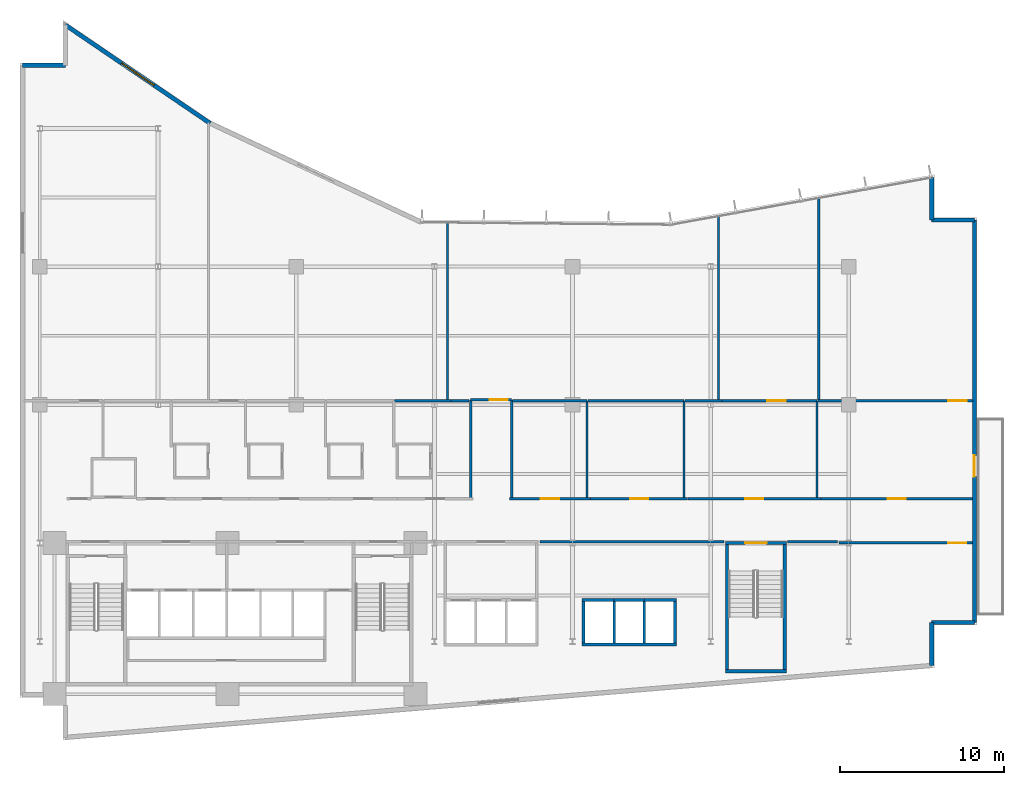
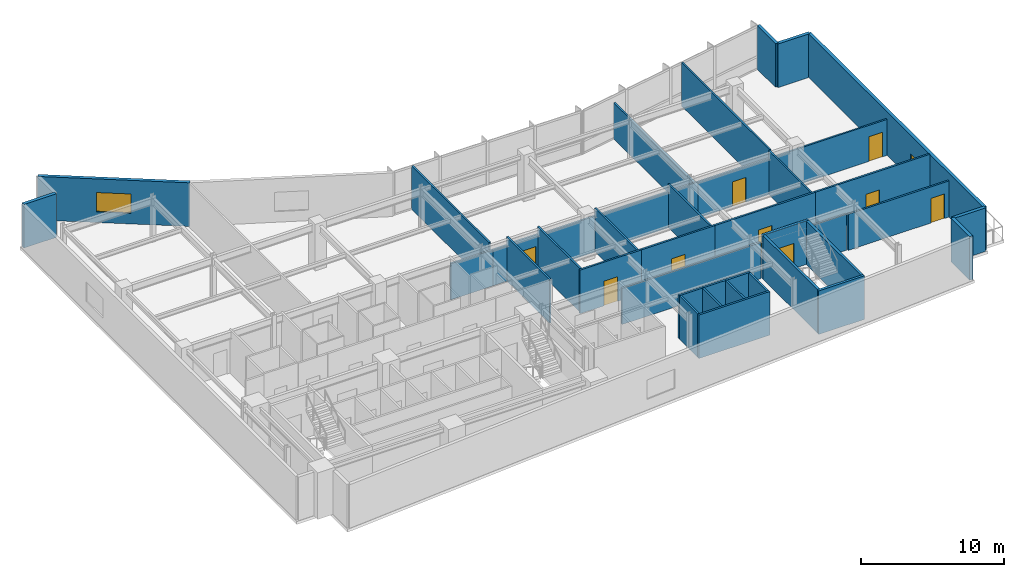
# One storey, part 12 of 18: 42 walls, 10 doors, 1 window, 11 openings.
"""IFC4 building model written with IfcOpenShell, lengths in metres."""

import ifcopenshell
import ifcopenshell.guid

model = None  # the IFC model being written
_history = None  # IfcOwnerHistory: only IFC2X3 demands one
_inside = {}  # id of a spatial element -> (the spatial element, [elements in it])
_under = {}  # id of a project, library or spatial element -> (it, [spatial elements below it])
_declared = {}  # id of a project -> (the project, [libraries it declares])
_typed = {}  # id of a type object -> (the type object, [elements of that type])
_made_of = {}  # id of a material, layer set ... -> (it, [elements and type objects made of it])


def new_model(schema):
    """Start an empty IFC model of exactly this schema.

    Asked for "IFC4X3", IfcOpenShell would pick the latest addendum, in which some entities
    have other attributes; the version numbers below select the first issue.
    IFC2X3 requires an IfcOwnerHistory on every rooted entity: one is made here for all.
    """
    global model, _history
    if schema == "IFC4X3":
        model = ifcopenshell.file(schema_version=(4, 3, 0, 0))
    else:
        model = ifcopenshell.file(schema=schema)
    _inside.clear()
    _under.clear()
    _declared.clear()
    _typed.clear()
    _made_of.clear()
    _history = None
    if model.schema == "IFC2X3":
        org = make("IfcOrganization", Name="unknown")
        user = make(
            "IfcPersonAndOrganization",
            ThePerson=make("IfcPerson", FamilyName="unknown"),
            TheOrganization=org,
        )
        app = make(
            "IfcApplication",
            ApplicationDeveloper=org,
            Version="unknown",
            ApplicationFullName="unknown",
            ApplicationIdentifier="unknown",
        )
        _history = make(
            "IfcOwnerHistory",
            OwningUser=user,
            OwningApplication=app,
            ChangeAction="ADDED",
            CreationDate=0,
        )
    return model


def make(cls, **values):
    """One entity of the class cls with the attributes given. An attribute that is None is left unset."""
    return model.create_entity(
        cls, **{name: value for name, value in values.items() if value is not None}
    )


def rooted(cls, **values):
    """An entity with a GlobalId (a new one), such as an element, a storey or a relation."""
    return make(cls, GlobalId=ifcopenshell.guid.new(), OwnerHistory=_history, **values)


def si_unit(unit_type, name, prefix=None):
    """IfcSIUnit, for example si_unit("LENGTHUNIT", "METRE", prefix="MILLI")."""
    return make("IfcSIUnit", UnitType=unit_type, Prefix=prefix, Name=name)


def assignment(units):
    """IfcUnitAssignment: the units of a project."""
    return None if units is None else make("IfcUnitAssignment", Units=units)


def point(xyz):
    """IfcCartesianPoint."""
    return None if xyz is None else make("IfcCartesianPoint", Coordinates=xyz)


def direction(xyz):
    """IfcDirection."""
    return None if xyz is None else make("IfcDirection", DirectionRatios=xyz)


def frame(location, z_axis=None, x_axis=None):
    """IfcAxis2Placement3D, a coordinate frame: its origin and axes. An axis left out is left unset."""
    return make(
        "IfcAxis2Placement3D",
        Location=point(location),
        Axis=direction(z_axis),
        RefDirection=direction(x_axis),
    )


def frame_2d(location, x_axis=None):
    """IfcAxis2Placement2D, a coordinate frame in the plane: its origin and x axis."""
    return make(
        "IfcAxis2Placement2D", Location=point(location), RefDirection=direction(x_axis)
    )


def origin():
    """The frame at (0, 0, 0) with its axes left unset."""
    return frame((0.0, 0.0, 0.0))


def place(relative_to, where):
    """IfcLocalPlacement: puts the frame where relative to a parent placement (None: the world)."""
    return make(
        "IfcLocalPlacement", PlacementRelTo=relative_to, RelativePlacement=where
    )


def context(
    kind, dimensions, precision=None, world=None, true_north=None, identifier=None
):
    """IfcGeometricRepresentationContext, for example the 3D "Model" context."""
    return make(
        "IfcGeometricRepresentationContext",
        ContextIdentifier=identifier,
        ContextType=kind,
        CoordinateSpaceDimension=dimensions,
        Precision=precision,
        WorldCoordinateSystem=world,
        TrueNorth=true_north,
    )


def subcontext(parent, identifier, kind, view, scale=None):
    """IfcGeometricRepresentationSubContext, for example "Body" below "Model"."""
    return make(
        "IfcGeometricRepresentationSubContext",
        ContextIdentifier=identifier,
        ContextType=kind,
        ParentContext=parent,
        TargetScale=scale,
        TargetView=view,
    )


def project(units=None, contexts=None):
    """IfcProject with its units and contexts."""
    return rooted(
        "IfcProject",
        Name="project",
        RepresentationContexts=contexts,
        UnitsInContext=assignment(units),
    )


def spatial(cls, under=None, at=None, **own):
    """A site, building, storey or space (cls), placed at a placement, below another one or the project."""
    s = rooted(cls, ObjectPlacement=at, **own)
    if under is not None:
        _under.setdefault(under.id(), (under, []))[1].append(s)
    return s


def profile(cls, at=None, kind="AREA", **sizes):
    """A parametric profile (cls). Its sizes go by their IFC names, for example OverallWidth=200.0."""
    return make(cls, ProfileType=kind, Position=at, **sizes)


def rectangle(**sizes):
    """IfcRectangleProfileDef."""
    return profile("IfcRectangleProfileDef", **sizes)


def extrude(swept, where, along, depth):
    """IfcExtrudedAreaSolid: the profile swept, set in the frame where, extruded along a direction by depth."""
    return make(
        "IfcExtrudedAreaSolid",
        SweptArea=swept,
        Position=where,
        ExtrudedDirection=direction(along),
        Depth=depth,
    )


def shape(context_of_items, identifier, shape_type, items):
    """IfcShapeRepresentation: the items that make up one representation, for example the "Body"."""
    return make(
        "IfcShapeRepresentation",
        ContextOfItems=context_of_items,
        RepresentationIdentifier=identifier,
        RepresentationType=shape_type,
        Items=items,
    )


def material(Name=None, Category=None):
    """IfcMaterial."""
    return make("IfcMaterial", Name=Name, Category=Category)


def layer(
    of_material, thickness, ventilated=None, Name=None, Category=None, Priority=None
):
    """IfcMaterialLayer: one layer of a wall or slab, of a material (None: an air gap)."""
    return make(
        "IfcMaterialLayer",
        Material=of_material,
        LayerThickness=thickness,
        IsVentilated=ventilated,
        Name=Name,
        Category=Category,
        Priority=Priority,
    )


def layer_set(layers, Name=None):
    """IfcMaterialLayerSet."""
    return make("IfcMaterialLayerSet", MaterialLayers=layers, LayerSetName=Name)


def made_of(thing, what):
    """Note that an element or type object is made of a material, layer set ...; save() writes the relation."""
    if what is not None:
        _made_of.setdefault(what.id(), (what, []))[1].append(thing)
    return thing


def type_object(cls, material=None, **own):
    """A type object (cls), such as IfcWallType, which elements share."""
    return made_of(rooted(cls, **own), material)


def element(
    cls,
    number,
    at=None,
    inside=None,
    cuts=None,
    type_object=None,
    material=None,
    context=None,
    identifier="Body",
    shape_type=None,
    held_by="IfcProductDefinitionShape",
    body=None,
    shapes=None,
    **own,
):
    """One element of the class cls, such as IfcWall. Its Tag is "e" and its number.

    at: its placement. inside: the storey or other place that contains it. cuts: it is an
    opening in that element (IfcRelVoidsElement). A single representation is given by context,
    identifier, shape_type and body (its items); several are given by shapes. held_by: the class
    of the entity that holds the representations. save() writes the other relations.
    """
    e = rooted(cls, Tag="e%d" % number, ObjectPlacement=at, **own)
    if body is not None:
        shapes = [shape(context, identifier, shape_type, body)]
    if shapes is not None:
        e.Representation = make(held_by, Representations=shapes)
    if inside is not None:
        _inside.setdefault(inside.id(), (inside, []))[1].append(e)
    if cuts is not None:
        rooted(
            "IfcRelVoidsElement", RelatingBuildingElement=cuts, RelatedOpeningElement=e
        )
    if type_object is not None:
        _typed.setdefault(type_object.id(), (type_object, []))[1].append(e)
    return made_of(e, material)


def fill(opening, filler):
    """IfcRelFillsElement: the door or window that sits in an opening."""
    return rooted(
        "IfcRelFillsElement",
        RelatingOpeningElement=opening,
        RelatedBuildingElement=filler,
    )


def aggregate(whole, parts):
    """IfcRelAggregates: a whole, such as a stair, and the parts it consists of."""
    return rooted("IfcRelAggregates", RelatingObject=whole, RelatedObjects=parts)


def save(model, path):
    """Write the relations noted so far, then the file.

    IfcRelAggregates (storeys below a building ...), IfcRelContainedInSpatialStructure (elements
    in a storey), IfcRelDefinesByType, IfcRelAssociatesMaterial and IfcRelDeclares: one each for
    every whole, place, type object, material and project.
    """
    for whole, parts in _under.values():
        aggregate(whole, parts)
    for where, things in _inside.values():
        rooted(
            "IfcRelContainedInSpatialStructure",
            RelatedElements=things,
            RelatingStructure=where,
        )
    for kind, things in _typed.values():
        rooted("IfcRelDefinesByType", RelatedObjects=things, RelatingType=kind)
    for what, things in _made_of.values():
        rooted("IfcRelAssociatesMaterial", RelatedObjects=things, RelatingMaterial=what)
    for by, libraries in _declared.values():
        rooted("IfcRelDeclares", RelatingContext=by, RelatedDefinitions=libraries)
    model.write(path)


model = new_model("IFC4")

# Units and contexts
model_context = context("Model", 3, precision=1e-05, world=origin(), true_north=direction((0.0, 1.0)))
body_context = subcontext(model_context, "Body", "Model", "MODEL_VIEW")
ifc_project = project(units=[si_unit("LENGTHUNIT", "METRE"), si_unit("AREAUNIT", "SQUARE_METRE"), si_unit("VOLUMEUNIT", "CUBIC_METRE"), si_unit("PLANEANGLEUNIT", "RADIAN"), si_unit("MASSUNIT", "GRAM", prefix="KILO")], contexts=[model_context])

# Site, building, storey
site_placement = place(None, origin())
site = spatial("IfcSite", under=ifc_project, at=site_placement, CompositionType="ELEMENT")
building_placement = place(site_placement, origin())
building = spatial("IfcBuilding", under=site, at=building_placement, Name="Varnakote Quay Hospital", CompositionType="ELEMENT")
storey_placement = place(building_placement, frame((0.0, 0.0, 69.89990234375)))
storey = spatial("IfcBuildingStorey", under=building, at=storey_placement, Name="L17", CompositionType="ELEMENT", Elevation=69.89990234375)

# Walls
ifc_material_1 = material(Name="Fire-rated acoustic gypsum stud wall", Category="gypsum")
ifc_layer_1 = layer(ifc_material_1, 0.159912109375)
ifc_layer_set_1 = layer_set([ifc_layer_1], Name="Fire-rated acoustic gypsum stud wall")
wall_type_1 = type_object("IfcWallType", Name="WL-COMP-160", PredefinedType="PARTITIONING", material=ifc_layer_set_1)
wall_1_placement = place(storey_placement, frame((31.6298828125, 12.080078125, 0.0), z_axis=(0.0, 0.0, 1.0), x_axis=(1.0, 0.0, 0.0)))
element("IfcWall", 1, at=wall_1_placement, inside=storey, type_object=wall_type_1, Name="L17 Corridor South Gap Wall", PredefinedType="PARTITIONING", context=body_context, shape_type="SweptSolid", body=[
    extrude(rectangle(XDim=11.180908203125, YDim=0.159912109375, at=frame_2d((5.59033203125, 0.0))), origin(), (0.0, 0.0, 1.0), 3.072998046875),
])
wall_2_placement = place(storey_placement, frame((46.689208984375, 12.080078125, 0.0), z_axis=(0.0, 0.0, 1.0), x_axis=(1.0, 0.0, 0.0)))
element("IfcWall", 2, at=wall_2_placement, inside=storey, type_object=wall_type_1, Name="L17 Corridor South Gap Wall", PredefinedType="PARTITIONING", context=body_context, shape_type="SweptSolid", body=[
    extrude(rectangle(XDim=3.0107421875, YDim=0.159912109375, at=frame_2d((1.50537109375, 0.0))), origin(), (0.0, 0.0, 1.0), 3.072998046875),
])
ifc_material_2 = material(Name="Precast concrete N50 (f'c 50 MPa)", Category="concrete")
ifc_layer_2 = layer(ifc_material_2, 0.260009765625)
ifc_layer_set_2 = layer_set([ifc_layer_2], Name="Precast concrete N50 (f'c 50 MPa)")
wall_type_2 = type_object("IfcWallType", Name="WL-EXT-BRICK-260", PredefinedType="STANDARD", material=ifc_layer_set_2)
wall_3_placement = place(storey_placement, frame((55.43994140625, 4.54736328125, 0.0), z_axis=(0.0, 0.0, 1.0), x_axis=(0.0, 1.0, 0.0)))
element("IfcWall", 3, at=wall_3_placement, inside=storey, type_object=wall_type_2, Name="L17 Brick-Faced Precast Exterior Wall", PredefinedType="STANDARD", context=body_context, shape_type="SweptSolid", body=[
    extrude(rectangle(XDim=2.612548828125, YDim=0.260009765625, at=frame_2d((1.30615234375, 0.0))), origin(), (0.0, 0.0, 1.0), 3.710205078125),
])
wall_4_placement = place(storey_placement, frame((55.43994140625, 7.159912109375, 0.0), z_axis=(0.0, 0.0, 1.0), x_axis=(1.0, 0.0, 0.0)))
element("IfcWall", 4, at=wall_4_placement, inside=storey, type_object=wall_type_2, Name="L17 Brick-Faced Precast Exterior Wall", PredefinedType="STANDARD", context=body_context, shape_type="SweptSolid", body=[
    extrude(rectangle(XDim=2.60009765625, YDim=0.260009765625, at=frame_2d((1.300048828125, 0.0))), origin(), (0.0, 0.0, 1.0), 3.710205078125),
])

# Wall, opening, door
wall_5_placement = place(storey_placement, frame((58.0400390625, 7.159912109375, 0.0), z_axis=(0.0, 0.0, 1.0), x_axis=(0.0, 1.0, 0.0)))
wall_5 = element("IfcWall", 5, at=wall_5_placement, inside=storey, type_object=wall_type_2, Name="L17 Healing Terrace Portal Brick Wall", PredefinedType="STANDARD", context=body_context, shape_type="SweptSolid", body=[
    extrude(rectangle(XDim=24.47998046875, YDim=0.260009765625, at=frame_2d((12.239990234375, 0.0))), origin(), (0.0, 0.0, 1.0), 3.710205078125),
])
opening_1_placement = place(wall_5_placement, frame((8.8701171875, 0.0, 0.0)))
opening_1 = element("IfcOpeningElement", 6, at=opening_1_placement, cuts=wall_5, Name="Opening DT-L17", PredefinedType="OPENING", context=body_context, shape_type="SweptSolid", body=[
    extrude(rectangle(XDim=1.300048828125, YDim=2.14990234375, at=frame_2d((0.64990234375, 1.074951171875))), frame((0.0, 0.139892578125, 0.0), z_axis=(0.0, -1.0, 0.0), x_axis=(1.0, 0.0, 0.0)), (0.0, 0.0, 1.0), 0.280029296875),
])
ifc_material_3 = material(Name="Anodised aluminium glazed terrace door", Category="aluminium")
door_type_1 = type_object("IfcDoorType", Name="DR-EXT-TERR-1300x2150", OperationType="NOTDEFINED", PredefinedType="DOOR", material=ifc_material_3)
door_1_placement = place(opening_1_placement, origin())
door_1 = element("IfcDoor", 7, at=door_1_placement, inside=storey, type_object=door_type_1, Name="L17 Waterfront Healing Terrace Door", OperationType="SINGLE_SWING_RIGHT", OverallHeight=2.14990234375, OverallWidth=1.300048828125, PredefinedType="DOOR", context=body_context, shape_type="SweptSolid", body=[
    extrude(rectangle(XDim=1.300048828125, YDim=2.14990234375, at=frame_2d((0.64990234375, 1.074951171875))), frame((0.0, 0.02490234375, 0.0), z_axis=(0.0, -1.0, 0.0), x_axis=(1.0, 0.0, 0.0)), (0.0, 0.0, 1.0), 0.050048828125),
])
fill(opening_1, door_1)

# Walls
wall_6_placement = place(storey_placement, frame((58.0400390625, 31.639892578125, 0.0), z_axis=(0.0, 0.0, 1.0), x_axis=(-1.0, 0.0, 0.0)))
element("IfcWall", 8, at=wall_6_placement, inside=storey, type_object=wall_type_2, Name="L17 Brick-Faced Precast Exterior Wall", PredefinedType="STANDARD", context=body_context, shape_type="SweptSolid", body=[
    extrude(rectangle(XDim=2.60009765625, YDim=0.260009765625, at=frame_2d((1.300048828125, 0.0))), origin(), (0.0, 0.0, 1.0), 3.710205078125),
])
wall_7_placement = place(storey_placement, frame((55.43994140625, 31.639892578125, 0.0), z_axis=(0.0, 0.0, 1.0), x_axis=(0.0, 1.0, 0.0)))
element("IfcWall", 9, at=wall_7_placement, inside=storey, type_object=wall_type_2, Name="L17 Brick-Faced Precast Exterior Wall", PredefinedType="STANDARD", context=body_context, shape_type="SweptSolid", body=[
    extrude(rectangle(XDim=2.568603515625, YDim=0.260009765625, at=frame_2d((1.2841796875, 0.0))), origin(), (0.0, 0.0, 1.0), 3.710205078125),
])

# Wall, opening, window
wall_8_placement = place(storey_placement, frame((11.560546875, 37.5166015625, 0.0), z_axis=(0.0, 0.0, 1.0), x_axis=(-0.827064743936, 0.562106670782, 0.0)))
wall_8 = element("IfcWall", 10, at=wall_8_placement, inside=storey, type_object=wall_type_2, Name="L17 Brick-Faced Precast Exterior Wall", PredefinedType="STANDARD", context=body_context, shape_type="SweptSolid", body=[
    extrude(rectangle(XDim=10.640625, YDim=0.260009765625, at=frame_2d((5.3203125, 0.0))), origin(), (0.0, 0.0, 1.0), 3.710205078125),
])
opening_2_placement = place(wall_8_placement, frame((4.120361328125, 0.0, 0.89990234375)))
opening_2 = element("IfcOpeningElement", 11, at=opening_2_placement, cuts=wall_8, Name="Opening WN-0084", PredefinedType="OPENING", context=body_context, shape_type="SweptSolid", body=[
    extrude(rectangle(XDim=2.39990234375, YDim=1.64990234375, at=frame_2d((1.199951171875, 0.824951171875))), frame((0.0, 0.139892578125, 0.0), z_axis=(0.0, -1.0, 0.0), x_axis=(1.0, 0.0, 0.0)), (0.0, 0.0, 1.0), 0.280029296875),
])
ifc_material_4 = material(Name="Double-glazed low-E solar glass", Category="glass")
window_type = type_object("IfcWindowType", Name="WIN-CLIN-2400x1650", PartitioningType="SINGLE_PANEL", PredefinedType="WINDOW", material=ifc_material_4)
window_placement = place(opening_2_placement, origin())
window = element("IfcWindow", 12, at=window_placement, inside=storey, type_object=window_type, Name="L17 Solar-Control Clinical Window", OverallHeight=1.64990234375, OverallWidth=2.39990234375, PartitioningType="SINGLE_PANEL", PredefinedType="WINDOW", context=body_context, shape_type="SweptSolid", body=[
    extrude(rectangle(XDim=2.39990234375, YDim=1.64990234375, at=frame_2d((1.199951171875, 0.824951171875))), frame((0.0, 0.030029296875, 0.0), z_axis=(0.0, -1.0, 0.0), x_axis=(1.0, 0.0, 0.0)), (0.0, 0.0, 1.0), 0.06005859375),
])
fill(opening_2, window)

# Walls
wall_9_placement = place(storey_placement, frame((2.760009765625, 41.0400390625, 0.0), z_axis=(0.0, 0.0, 1.0), x_axis=(-1.0, 0.0, 0.0)))
element("IfcWall", 13, at=wall_9_placement, inside=storey, type_object=wall_type_2, Name="L17 Brick-Faced Precast Exterior Wall", PredefinedType="STANDARD", context=body_context, shape_type="SweptSolid", body=[
    extrude(rectangle(XDim=2.60009765625, YDim=0.260009765625, at=frame_2d((1.300048828125, 0.0))), origin(), (0.0, 0.0, 1.0), 3.710205078125),
])
ifc_material_5 = material(Name="Concrete N50 (f'c 50 MPa)", Category="concrete")
ifc_layer_3 = layer(ifc_material_5, 0.14990234375)
ifc_layer_set_3 = layer_set([ifc_layer_3], Name="Concrete N50 (f'c 50 MPa)")
wall_type_3 = type_object("IfcWallType", Name="WL-SHAFT-N50-150", PredefinedType="SHEAR", material=ifc_layer_set_3)
for number, where, z_axis, x_axis, name in (
    (14, (36.125, 5.89990234375, 0.0), (0.0, 0.0, 1.0), (0.0, 1.0, 0.0), "L17 LF-PM1 Hoistway Divider Wall"),
    (15, (37.97509765625, 5.89990234375, 0.0), (0.0, 0.0, 1.0), (0.0, 1.0, 0.0), "L17 LF-PM2 Hoistway Divider Wall"),
):
    element("IfcWall", number, at=place(storey_placement, frame(where, z_axis=z_axis, x_axis=x_axis)), inside=storey, type_object=wall_type_3, Name=name, PredefinedType="SHEAR", context=body_context, shape_type="SweptSolid", body=[
        extrude(rectangle(XDim=2.550048828125, YDim=0.14990234375, at=frame_2d((1.27490234375, 0.0))), origin(), (0.0, 0.0, 1.0), 3.710205078125),
    ])
ifc_material_6 = material(Name="Concrete N50 (f'c 50 MPa)", Category="concrete")
ifc_layer_4 = layer(ifc_material_6, 0.159912109375)
ifc_layer_set_4 = layer_set([ifc_layer_4], Name="Concrete N50 (f'c 50 MPa)")
wall_type_4 = type_object("IfcWallType", Name="WL-SHAFT-N50-160", PredefinedType="SHEAR", material=ifc_layer_set_4)
wall_10_placement = place(storey_placement, frame((34.18994140625, 5.820068359375, 0.0), z_axis=(0.0, 0.0, 1.0), x_axis=(1.0, 0.0, 0.0)))
element("IfcWall", 16, at=wall_10_placement, inside=storey, type_object=wall_type_4, Name="L17 MID Lift Bank Back Shear Wall", PredefinedType="SHEAR", context=body_context, shape_type="SweptSolid", body=[
    extrude(rectangle(XDim=5.719970703125, YDim=0.159912109375, at=frame_2d((2.85986328125, 0.0))), origin(), (0.0, 0.0, 1.0), 3.710205078125),
])
for number, where, z_axis, x_axis, name in (
    (17, (34.27001953125, 5.89990234375, 0.0), (0.0, 0.0, 1.0), (0.0, 1.0, 0.0), "L17 MID Lift Bank West Shear Wall"),
    (18, (39.830078125, 5.89990234375, 0.0), (0.0, 0.0, 1.0), (0.0, 1.0, 0.0), "L17 MID Lift Bank East Shear Wall"),
):
    element("IfcWall", number, at=place(storey_placement, frame(where, z_axis=z_axis, x_axis=x_axis)), inside=storey, type_object=wall_type_4, Name=name, PredefinedType="SHEAR", context=body_context, shape_type="SweptSolid", body=[
        extrude(rectangle(XDim=2.550048828125, YDim=0.159912109375, at=frame_2d((1.27490234375, 0.0))), origin(), (0.0, 0.0, 1.0), 3.710205078125),
    ])
wall_11_placement = place(storey_placement, frame((34.18994140625, 8.530029296875, 0.0), z_axis=(0.0, 0.0, 1.0), x_axis=(1.0, 0.0, 0.0)))
element("IfcWall", 19, at=wall_11_placement, inside=storey, type_object=wall_type_4, Name="L17 LF-PM1 Hoistway Front Wall", PredefinedType="SHEAR", context=body_context, shape_type="SweptSolid", body=[
    extrude(rectangle(XDim=1.93505859375, YDim=0.159912109375, at=frame_2d((0.967529296875, 0.0))), origin(), (0.0, 0.0, 1.0), 3.710205078125),
])
wall_12_placement = place(storey_placement, frame((36.125, 8.530029296875, 0.0), z_axis=(0.0, 0.0, 1.0), x_axis=(1.0, 0.0, 0.0)))
element("IfcWall", 20, at=wall_12_placement, inside=storey, type_object=wall_type_4, Name="L17 LF-PM2 Hoistway Front Wall", PredefinedType="SHEAR", context=body_context, shape_type="SweptSolid", body=[
    extrude(rectangle(XDim=1.85009765625, YDim=0.159912109375, at=frame_2d((0.925048828125, 0.0))), origin(), (0.0, 0.0, 1.0), 3.710205078125),
])
wall_13_placement = place(storey_placement, frame((37.97509765625, 8.530029296875, 0.0), z_axis=(0.0, 0.0, 1.0), x_axis=(1.0, 0.0, 0.0)))
element("IfcWall", 21, at=wall_13_placement, inside=storey, type_object=wall_type_4, Name="L17 LF-PM3 Hoistway Front Wall", PredefinedType="SHEAR", context=body_context, shape_type="SweptSolid", body=[
    extrude(rectangle(XDim=1.934814453125, YDim=0.159912109375, at=frame_2d((0.96728515625, 0.0))), origin(), (0.0, 0.0, 1.0), 3.710205078125),
])
ifc_material_7 = material(Name="Concrete N50 (f'c 50 MPa)", Category="concrete")
ifc_layer_5 = layer(ifc_material_7, 0.199951171875)
ifc_layer_set_5 = layer_set([ifc_layer_5], Name="Concrete N50 (f'c 50 MPa)")
wall_type_5 = type_object("IfcWallType", Name="WL-SHAFT-N50-200", PredefinedType="SHEAR", material=ifc_layer_set_5)
wall_14_placement = place(storey_placement, frame((42.89990234375, 4.199951171875, 0.0), z_axis=(0.0, 0.0, 1.0), x_axis=(1.0, 0.0, 0.0)))
element("IfcWall", 22, at=wall_14_placement, inside=storey, type_object=wall_type_5, Name="L17 Stair ST3 South Shaft Wall", PredefinedType="SHEAR", context=body_context, shape_type="SweptSolid", body=[
    extrude(rectangle(XDim=3.7001953125, YDim=0.199951171875, at=frame_2d((1.85009765625, 0.0))), origin(), (0.0, 0.0, 1.0), 3.710205078125),
])
for number, where, z_axis, x_axis, name in (
    (23, (43.0, 4.300048828125, 0.0), (0.0, 0.0, 1.0), (0.0, 1.0, 0.0), "L17 Stair ST3 West Shaft Wall"),
    (24, (46.5, 4.300048828125, 0.0), (0.0, 0.0, 1.0), (0.0, 1.0, 0.0), "L17 Stair ST3 East Shaft Wall"),
):
    element("IfcWall", number, at=place(storey_placement, frame(where, z_axis=z_axis, x_axis=x_axis)), inside=storey, type_object=wall_type_5, Name=name, PredefinedType="SHEAR", context=body_context, shape_type="SweptSolid", body=[
        extrude(rectangle(XDim=7.599853515625, YDim=0.199951171875, at=frame_2d((3.7998046875, 0.0))), origin(), (0.0, 0.0, 1.0), 3.710205078125),
    ])

# Wall, opening, door
wall_15_placement = place(storey_placement, frame((42.89990234375, 12.0, 0.0), z_axis=(0.0, 0.0, 1.0), x_axis=(1.0, 0.0, 0.0)))
wall_15 = element("IfcWall", 25, at=wall_15_placement, inside=storey, type_object=wall_type_5, Name="L17 Stair ST3 Exit Wall", PredefinedType="SHEAR", context=body_context, shape_type="SweptSolid", body=[
    extrude(rectangle(XDim=3.7001953125, YDim=0.199951171875, at=frame_2d((1.85009765625, 0.0))), origin(), (0.0, 0.0, 1.0), 3.710205078125),
])
opening_3_placement = place(wall_15_placement, frame((1.199951171875, 0.0, 0.0)))
opening_3 = element("IfcOpeningElement", 26, at=opening_3_placement, cuts=wall_15, Name="Opening D-ST3-L17", PredefinedType="OPENING", context=body_context, shape_type="SweptSolid", body=[
    extrude(rectangle(XDim=1.300048828125, YDim=2.14990234375, at=frame_2d((0.64990234375, 1.074951171875))), frame((0.0, 0.10986328125, 0.0), z_axis=(0.0, -1.0, 0.0), x_axis=(1.0, 0.0, 0.0)), (0.0, 0.0, 1.0), 0.219970703125),
])
ifc_material_8 = material(Name="Fire-rated ceramic-glazed timber exit door", Category="wood")
door_type_2 = type_object("IfcDoorType", Name="DR-STAIR-FD60S-1300x2150", OperationType="NOTDEFINED", PredefinedType="DOOR", material=ifc_material_8)
door_2_placement = place(opening_3_placement, origin())
door_2 = element("IfcDoor", 27, at=door_2_placement, inside=storey, type_object=door_type_2, Name="L17 Stair ST3 Fire Exit Door", OperationType="SINGLE_SWING_LEFT", OverallHeight=2.14990234375, OverallWidth=1.300048828125, PredefinedType="DOOR", context=body_context, shape_type="SweptSolid", body=[
    extrude(rectangle(XDim=1.300048828125, YDim=2.14990234375, at=frame_2d((0.64990234375, 1.074951171875))), frame((0.0, 0.02490234375, 0.0), z_axis=(0.0, -1.0, 0.0), x_axis=(1.0, 0.0, 0.0)), (0.0, 0.0, 1.0), 0.050048828125),
])
fill(opening_3, door_2)

# Walls
ifc_material_9 = material(Name="Smoke-proof clinical partition", Category="gypsum")
ifc_layer_6 = layer(ifc_material_9, 0.135009765625)
ifc_layer_set_6 = layer_set([ifc_layer_6], Name="Smoke-proof clinical partition")
wall_type_6 = type_object("IfcWallType", Name="WL-SMOKE-135", PredefinedType="PARTITIONING", material=ifc_layer_set_6)
wall_16_placement = place(storey_placement, frame((26.197509765625, 20.639892578125, 0.0), z_axis=(0.0, 0.0, 1.0), x_axis=(-1.0, 0.0, 0.0)))
element("IfcWall", 28, at=wall_16_placement, inside=storey, type_object=wall_type_6, Name="L17 Clinical Interior Partition", PredefinedType="PARTITIONING", context=body_context, shape_type="SweptSolid", body=[
    extrude(rectangle(XDim=3.409912109375, YDim=0.135009765625, at=frame_2d((1.705078125, 0.0))), origin(), (0.0, 0.0, 1.0), 3.072998046875),
])
wall_17_placement = place(storey_placement, frame((27.320068359375, 20.639892578125, 0.0), z_axis=(0.0, 0.0, 1.0), x_axis=(-1.0, 0.0, 0.0)))
element("IfcWall", 29, at=wall_17_placement, inside=storey, type_object=wall_type_6, Name="L17 Clinical Interior Partition", PredefinedType="PARTITIONING", context=body_context, shape_type="SweptSolid", body=[
    extrude(rectangle(XDim=1.12060546875, YDim=0.135009765625, at=frame_2d((0.560302734375, 0.0))), origin(), (0.0, 0.0, 1.0), 3.072998046875),
])
wall_18_placement = place(storey_placement, frame((34.47998046875, 14.760009765625, 0.0), z_axis=(0.0, 0.0, 1.0), x_axis=(0.0, 1.0, 0.0)))
element("IfcWall", 30, at=wall_18_placement, inside=storey, type_object=wall_type_6, Name="L17 Clinical Interior Partition", PredefinedType="PARTITIONING", context=body_context, shape_type="SweptSolid", body=[
    extrude(rectangle(XDim=5.8798828125, YDim=0.135009765625, at=frame_2d((2.93994140625, 0.0))), origin(), (0.0, 0.0, 1.0), 3.710205078125),
])
wall_19_placement = place(storey_placement, frame((34.47998046875, 20.639892578125, 0.0), z_axis=(0.0, 0.0, 1.0), x_axis=(-1.0, 0.0, 0.0)))
element("IfcWall", 31, at=wall_19_placement, inside=storey, type_object=wall_type_6, Name="L17 Clinical Interior Partition", PredefinedType="PARTITIONING", context=body_context, shape_type="SweptSolid", body=[
    extrude(rectangle(XDim=4.514892578125, YDim=0.135009765625, at=frame_2d((2.25732421875, 0.0))), origin(), (0.0, 0.0, 1.0), 3.072998046875),
])
wall_20_placement = place(storey_placement, frame((40.3798828125, 14.760009765625, 0.0), z_axis=(0.0, 0.0, 1.0), x_axis=(0.0, 1.0, 0.0)))
element("IfcWall", 32, at=wall_20_placement, inside=storey, type_object=wall_type_6, Name="L17 Clinical Interior Partition", PredefinedType="PARTITIONING", context=body_context, shape_type="SweptSolid", body=[
    extrude(rectangle(XDim=5.8798828125, YDim=0.135009765625, at=frame_2d((2.93994140625, 0.0))), origin(), (0.0, 0.0, 1.0), 3.710205078125),
])
wall_21_placement = place(storey_placement, frame((40.3798828125, 20.639892578125, 0.0), z_axis=(0.0, 0.0, 1.0), x_axis=(-1.0, 0.0, 0.0)))
element("IfcWall", 33, at=wall_21_placement, inside=storey, type_object=wall_type_6, Name="L17 Clinical Interior Partition", PredefinedType="PARTITIONING", context=body_context, shape_type="SweptSolid", body=[
    extrude(rectangle(XDim=5.84228515625, YDim=0.135009765625, at=frame_2d((2.921142578125, 0.0))), origin(), (0.0, 0.0, 1.0), 3.072998046875),
])
wall_22_placement = place(storey_placement, frame((48.469970703125, 14.760009765625, 0.0), z_axis=(0.0, 0.0, 1.0), x_axis=(0.0, 1.0, 0.0)))
element("IfcWall", 34, at=wall_22_placement, inside=storey, type_object=wall_type_6, Name="L17 Clinical Interior Partition", PredefinedType="PARTITIONING", context=body_context, shape_type="SweptSolid", body=[
    extrude(rectangle(XDim=5.8798828125, YDim=0.135009765625, at=frame_2d((2.93994140625, 0.0))), origin(), (0.0, 0.0, 1.0), 3.710205078125),
])
wall_23_placement = place(storey_placement, frame((42.6875, 20.639892578125, 0.0), z_axis=(0.0, 0.0, 1.0), x_axis=(-1.0, 0.0, 0.0)))
element("IfcWall", 35, at=wall_23_placement, inside=storey, type_object=wall_type_6, Name="L17 Clinical Interior Partition", PredefinedType="PARTITIONING", context=body_context, shape_type="SweptSolid", body=[
    extrude(rectangle(XDim=2.25, YDim=0.135009765625, at=frame_2d((1.125, 0.0))), origin(), (0.0, 0.0, 1.0), 3.072998046875),
])

# Wall, opening, door
wall_24_placement = place(storey_placement, frame((48.469970703125, 20.639892578125, 0.0), z_axis=(0.0, 0.0, 1.0), x_axis=(-1.0, 0.0, 0.0)))
wall_24 = element("IfcWall", 36, at=wall_24_placement, inside=storey, type_object=wall_type_6, Name="L17 Clinical Interior Partition", PredefinedType="PARTITIONING", context=body_context, shape_type="SweptSolid", body=[
    extrude(rectangle(XDim=5.780517578125, YDim=0.135009765625, at=frame_2d((2.89013671875, 0.0))), origin(), (0.0, 0.0, 1.0), 3.072998046875),
])
opening_4_placement = place(wall_24_placement, frame((1.912109375, 0.0, 0.0)))
opening_4 = element("IfcOpeningElement", 37, at=opening_4_placement, cuts=wall_24, Name="Opening D-L17-MD09", PredefinedType="OPENING", context=body_context, shape_type="SweptSolid", body=[
    extrude(rectangle(XDim=1.10009765625, YDim=2.10009765625, at=frame_2d((0.550048828125, 1.050048828125))), frame((0.0, 0.077392578125, 0.0), z_axis=(0.0, -1.0, 0.0), x_axis=(1.0, 0.0, 0.0)), (0.0, 0.0, 1.0), 0.155029296875),
])
ifc_material_10 = material(Name="Acoustic timber clinical consult door", Category="wood")
door_type_3 = type_object("IfcDoorType", Name="DR-CLIN-FD30S-1100x2100", OperationType="NOTDEFINED", PredefinedType="DOOR", material=ifc_material_10)
door_3_placement = place(opening_4_placement, origin())
door_3 = element("IfcDoor", 38, at=door_3_placement, inside=storey, type_object=door_type_3, Name="L17 Clinical Simulation Teaching Room Door", OperationType="SINGLE_SWING_LEFT", OverallHeight=2.10009765625, OverallWidth=1.10009765625, PredefinedType="DOOR", context=body_context, shape_type="SweptSolid", body=[
    extrude(rectangle(XDim=1.10009765625, YDim=2.10009765625, at=frame_2d((0.550048828125, 1.050048828125))), frame((0.0, 0.02490234375, 0.0), z_axis=(0.0, -1.0, 0.0), x_axis=(1.0, 0.0, 0.0)), (0.0, 0.0, 1.0), 0.050048828125),
])
fill(opening_4, door_3)

wall_25_placement = place(storey_placement, frame((57.9599609375, 20.639892578125, 0.0), z_axis=(0.0, 0.0, 1.0), x_axis=(-1.0, 0.0, 0.0)))
wall_25 = element("IfcWall", 39, at=wall_25_placement, inside=storey, type_object=wall_type_6, Name="L17 Clinical Interior Partition", PredefinedType="PARTITIONING", context=body_context, shape_type="SweptSolid", body=[
    extrude(rectangle(XDim=9.432373046875, YDim=0.135009765625, at=frame_2d((4.71630859375, 0.0))), origin(), (0.0, 0.0, 1.0), 3.072998046875),
])
opening_5_placement = place(wall_25_placement, frame((0.398193359375, 0.0, 0.0)))
opening_5 = element("IfcOpeningElement", 40, at=opening_5_placement, cuts=wall_25, Name="Opening D-L17-MD10", PredefinedType="OPENING", context=body_context, shape_type="SweptSolid", body=[
    extrude(rectangle(XDim=1.10009765625, YDim=2.10009765625, at=frame_2d((0.550048828125, 1.050048828125))), frame((0.0, 0.077392578125, 0.0), z_axis=(0.0, -1.0, 0.0), x_axis=(1.0, 0.0, 0.0)), (0.0, 0.0, 1.0), 0.155029296875),
])
door_4_placement = place(opening_5_placement, origin())
door_4 = element("IfcDoor", 41, at=door_4_placement, inside=storey, type_object=door_type_3, Name="L17 Allied Health Teaching Laboratory Door", OperationType="SINGLE_SWING_RIGHT", OverallHeight=2.10009765625, OverallWidth=1.10009765625, PredefinedType="DOOR", context=body_context, shape_type="SweptSolid", body=[
    extrude(rectangle(XDim=1.10009765625, YDim=2.10009765625, at=frame_2d((0.550048828125, 1.050048828125))), frame((0.0, 0.02490234375, 0.0), z_axis=(0.0, -1.0, 0.0), x_axis=(1.0, 0.0, 0.0)), (0.0, 0.0, 1.0), 0.050048828125),
])
fill(opening_5, door_4)

# Walls
wall_26_placement = place(storey_placement, frame((25.989990234375, 20.697509765625, 0.0), z_axis=(0.0, 0.0, 1.0), x_axis=(0.0, 1.0, 0.0)))
element("IfcWall", 42, at=wall_26_placement, inside=storey, type_object=wall_type_6, Name="L17 Clinical Interior Partition", PredefinedType="PARTITIONING", context=body_context, shape_type="SweptSolid", body=[
    extrude(rectangle(XDim=10.779296875, YDim=0.135009765625, at=frame_2d((5.3896484375, 0.0))), origin(), (0.0, 0.0, 1.0), 3.710205078125),
])
wall_27_placement = place(storey_placement, frame((42.47998046875, 20.697509765625, 0.0), z_axis=(0.0, 0.0, 1.0), x_axis=(0.0, 1.0, 0.0)))
element("IfcWall", 43, at=wall_27_placement, inside=storey, type_object=wall_type_6, Name="L17 Clinical Interior Partition", PredefinedType="PARTITIONING", context=body_context, shape_type="SweptSolid", body=[
    extrude(rectangle(XDim=11.168701171875, YDim=0.135009765625, at=frame_2d((5.58447265625, 0.0))), origin(), (0.0, 0.0, 1.0), 3.072998046875),
])
wall_28_placement = place(storey_placement, frame((48.570068359375, 20.697509765625, 0.0), z_axis=(0.0, 0.0, 1.0), x_axis=(0.0, 1.0, 0.0)))
element("IfcWall", 44, at=wall_28_placement, inside=storey, type_object=wall_type_6, Name="L17 Clinical Interior Partition", PredefinedType="PARTITIONING", context=body_context, shape_type="SweptSolid", body=[
    extrude(rectangle(XDim=12.269287109375, YDim=0.135009765625, at=frame_2d((6.134765625, 0.0))), origin(), (0.0, 0.0, 1.0), 3.710205078125),
])

# Wall, opening, door
ifc_material_11 = material(Name="Fire-rated clinical gypsum partition", Category="gypsum")
ifc_layer_7 = layer(ifc_material_11, 0.14990234375)
ifc_layer_set_7 = layer_set([ifc_layer_7], Name="Fire-rated clinical gypsum partition")
wall_type_7 = type_object("IfcWallType", Name="WL-WARD-150", PredefinedType="PARTITIONING", material=ifc_layer_set_7)
wall_29_placement = place(storey_placement, frame((57.919921875, 12.0, 0.0), z_axis=(0.0, 0.0, 1.0), x_axis=(-1.0, 0.0, 0.0)))
wall_29 = element("IfcWall", 45, at=wall_29_placement, inside=storey, type_object=wall_type_7, Name="L17 Clinical Interior Partition", PredefinedType="PARTITIONING", context=body_context, shape_type="SweptSolid", body=[
    extrude(rectangle(XDim=8.119873046875, YDim=0.14990234375, at=frame_2d((4.06005859375, 0.0))), origin(), (0.0, 0.0, 1.0), 3.072998046875),
])
opening_6_placement = place(wall_29_placement, frame((0.365478515625, 0.0, 0.0)))
opening_6 = element("IfcOpeningElement", 46, at=opening_6_placement, cuts=wall_29, Name="Opening D-L17-SE1", PredefinedType="OPENING", context=body_context, shape_type="SweptSolid", body=[
    extrude(rectangle(XDim=1.10009765625, YDim=2.10009765625, at=frame_2d((0.550048828125, 1.050048828125))), frame((0.0, 0.0849609375, 0.0), z_axis=(0.0, -1.0, 0.0), x_axis=(1.0, 0.0, 0.0)), (0.0, 0.0, 1.0), 0.169921875),
])
door_5_placement = place(opening_6_placement, origin())
door_5 = element("IfcDoor", 47, at=door_5_placement, inside=storey, type_object=door_type_3, Name="L17 Clinical Biomedical Engineering Office Door", OperationType="SINGLE_SWING_LEFT", OverallHeight=2.10009765625, OverallWidth=1.10009765625, PredefinedType="DOOR", context=body_context, shape_type="SweptSolid", body=[
    extrude(rectangle(XDim=1.10009765625, YDim=2.10009765625, at=frame_2d((0.550048828125, 1.050048828125))), frame((0.0, 0.02490234375, 0.0), z_axis=(0.0, -1.0, 0.0), x_axis=(1.0, 0.0, 0.0)), (0.0, 0.0, 1.0), 0.050048828125),
])
fill(opening_6, door_5)

wall_30_placement = place(storey_placement, frame((34.7060546875, 14.679931640625, 0.0), z_axis=(0.0, 0.0, 1.0), x_axis=(-1.0, 0.0, 0.0)))
wall_30 = element("IfcWall", 48, at=wall_30_placement, inside=storey, type_object=wall_type_7, Name="L17 Clinical Interior Partition", PredefinedType="PARTITIONING", context=body_context, shape_type="SweptSolid", body=[
    extrude(rectangle(XDim=4.9521484375, YDim=0.14990234375, at=frame_2d((2.47607421875, 0.0))), origin(), (0.0, 0.0, 1.0), 3.710205078125),
])
opening_7_placement = place(wall_30_placement, frame((1.926025390625, 0.0, 0.0)))
opening_7 = element("IfcOpeningElement", 49, at=opening_7_placement, cuts=wall_30, Name="Opening D-L17-MD03", PredefinedType="OPENING", context=body_context, shape_type="SweptSolid", body=[
    extrude(rectangle(XDim=1.10009765625, YDim=2.10009765625, at=frame_2d((0.550048828125, 1.050048828125))), frame((0.0, 0.0849609375, 0.0), z_axis=(0.0, -1.0, 0.0), x_axis=(1.0, 0.0, 0.0)), (0.0, 0.0, 1.0), 0.169921875),
])
door_6_placement = place(opening_7_placement, origin())
door_6 = element("IfcDoor", 50, at=door_6_placement, inside=storey, type_object=door_type_3, Name="L17 Nursing Education Meeting Room Door", OperationType="SINGLE_SWING_RIGHT", OverallHeight=2.10009765625, OverallWidth=1.10009765625, PredefinedType="DOOR", context=body_context, shape_type="SweptSolid", body=[
    extrude(rectangle(XDim=1.10009765625, YDim=2.10009765625, at=frame_2d((0.550048828125, 1.050048828125))), frame((0.0, 0.02490234375, 0.0), z_axis=(0.0, -1.0, 0.0), x_axis=(1.0, 0.0, 0.0)), (0.0, 0.0, 1.0), 0.050048828125),
])
fill(opening_7, door_6)

wall_31_placement = place(storey_placement, frame((40.60595703125, 14.679931640625, 0.0), z_axis=(0.0, 0.0, 1.0), x_axis=(-1.0, 0.0, 0.0)))
wall_31 = element("IfcWall", 51, at=wall_31_placement, inside=storey, type_object=wall_type_7, Name="L17 Clinical Interior Partition", PredefinedType="PARTITIONING", context=body_context, shape_type="SweptSolid", body=[
    extrude(rectangle(XDim=5.89794921875, YDim=0.14990234375, at=frame_2d((2.948974609375, 0.0))), origin(), (0.0, 0.0, 1.0), 3.710205078125),
])
opening_8_placement = place(wall_31_placement, frame((2.39892578125, 0.0, 0.0)))
opening_8 = element("IfcOpeningElement", 52, at=opening_8_placement, cuts=wall_31, Name="Opening D-L17-MD04", PredefinedType="OPENING", context=body_context, shape_type="SweptSolid", body=[
    extrude(rectangle(XDim=1.10009765625, YDim=2.10009765625, at=frame_2d((0.550048828125, 1.050048828125))), frame((0.0, 0.0849609375, 0.0), z_axis=(0.0, -1.0, 0.0), x_axis=(1.0, 0.0, 0.0)), (0.0, 0.0, 1.0), 0.169921875),
])
door_7_placement = place(opening_8_placement, origin())
door_7 = element("IfcDoor", 53, at=door_7_placement, inside=storey, type_object=door_type_3, Name="L17 Ward Preparation Pantry Door", OperationType="SINGLE_SWING_LEFT", OverallHeight=2.10009765625, OverallWidth=1.10009765625, PredefinedType="DOOR", context=body_context, shape_type="SweptSolid", body=[
    extrude(rectangle(XDim=1.10009765625, YDim=2.10009765625, at=frame_2d((0.550048828125, 1.050048828125))), frame((0.0, 0.02490234375, 0.0), z_axis=(0.0, -1.0, 0.0), x_axis=(1.0, 0.0, 0.0)), (0.0, 0.0, 1.0), 0.050048828125),
])
fill(opening_8, door_7)

wall_32_placement = place(storey_placement, frame((48.696044921875, 14.679931640625, 0.0), z_axis=(0.0, 0.0, 1.0), x_axis=(-1.0, 0.0, 0.0)))
wall_32 = element("IfcWall", 54, at=wall_32_placement, inside=storey, type_object=wall_type_7, Name="L17 Clinical Interior Partition", PredefinedType="PARTITIONING", context=body_context, shape_type="SweptSolid", body=[
    extrude(rectangle(XDim=8.088134765625, YDim=0.14990234375, at=frame_2d((4.0439453125, 0.0))), origin(), (0.0, 0.0, 1.0), 3.710205078125),
])
opening_9_placement = place(wall_32_placement, frame((3.493896484375, 0.0, 0.0)))
opening_9 = element("IfcOpeningElement", 55, at=opening_9_placement, cuts=wall_32, Name="Opening D-L17-MD05", PredefinedType="OPENING", context=body_context, shape_type="SweptSolid", body=[
    extrude(rectangle(XDim=1.10009765625, YDim=2.10009765625, at=frame_2d((0.550048828125, 1.050048828125))), frame((0.0, 0.0849609375, 0.0), z_axis=(0.0, -1.0, 0.0), x_axis=(1.0, 0.0, 0.0)), (0.0, 0.0, 1.0), 0.169921875),
])
door_8_placement = place(opening_9_placement, origin())
door_8 = element("IfcDoor", 56, at=door_8_placement, inside=storey, type_object=door_type_3, Name="L17 Clinical Simulation Teaching Room Door", OperationType="SINGLE_SWING_RIGHT", OverallHeight=2.10009765625, OverallWidth=1.10009765625, PredefinedType="DOOR", context=body_context, shape_type="SweptSolid", body=[
    extrude(rectangle(XDim=1.10009765625, YDim=2.10009765625, at=frame_2d((0.550048828125, 1.050048828125))), frame((0.0, 0.02490234375, 0.0), z_axis=(0.0, -1.0, 0.0), x_axis=(1.0, 0.0, 0.0)), (0.0, 0.0, 1.0), 0.050048828125),
])
fill(opening_9, door_8)

wall_33_placement = place(storey_placement, frame((57.919921875, 14.679931640625, 0.0), z_axis=(0.0, 0.0, 1.0), x_axis=(-1.0, 0.0, 0.0)))
wall_33 = element("IfcWall", 57, at=wall_33_placement, inside=storey, type_object=wall_type_7, Name="L17 Clinical Interior Partition", PredefinedType="PARTITIONING", context=body_context, shape_type="SweptSolid", body=[
    extrude(rectangle(XDim=9.221923828125, YDim=0.14990234375, at=frame_2d((4.61083984375, 0.0))), origin(), (0.0, 0.0, 1.0), 3.710205078125),
])
opening_10_placement = place(wall_33_placement, frame((4.06103515625, 0.0, 0.0)))
opening_10 = element("IfcOpeningElement", 58, at=opening_10_placement, cuts=wall_33, Name="Opening D-L17-DLNG", PredefinedType="OPENING", context=body_context, shape_type="SweptSolid", body=[
    extrude(rectangle(XDim=1.10009765625, YDim=2.10009765625, at=frame_2d((0.550048828125, 1.050048828125))), frame((0.0, 0.0849609375, 0.0), z_axis=(0.0, -1.0, 0.0), x_axis=(1.0, 0.0, 0.0)), (0.0, 0.0, 1.0), 0.169921875),
])
door_9_placement = place(opening_10_placement, origin())
door_9 = element("IfcDoor", 59, at=door_9_placement, inside=storey, type_object=door_type_3, Name="L17 Waterfront Patient & Family Dayroom Door", OperationType="SINGLE_SWING_LEFT", OverallHeight=2.10009765625, OverallWidth=1.10009765625, PredefinedType="DOOR", context=body_context, shape_type="SweptSolid", body=[
    extrude(rectangle(XDim=1.10009765625, YDim=2.10009765625, at=frame_2d((0.550048828125, 1.050048828125))), frame((0.0, 0.02490234375, 0.0), z_axis=(0.0, -1.0, 0.0), x_axis=(1.0, 0.0, 0.0)), (0.0, 0.0, 1.0), 0.050048828125),
])
fill(opening_10, door_9)

# Walls
for number, where, z_axis, x_axis, name in (
    (60, (27.39990234375, 20.699951171875, 0.0), (0.0, 0.0, 1.0), (0.0, -1.0, 0.0), "L17 Clinical Interior Partition"),
    (61, (29.89990234375, 14.699951171875, 0.0), (0.0, 0.0, 1.0), (0.0, 1.0, 0.0), "L17 Clinical Interior Partition"),
):
    element("IfcWall", number, at=place(storey_placement, frame(where, z_axis=z_axis, x_axis=x_axis)), inside=storey, type_object=wall_type_7, Name=name, PredefinedType="PARTITIONING", context=body_context, shape_type="SweptSolid", body=[
        extrude(rectangle(XDim=6.0, YDim=0.14990234375, at=frame_2d((3.0, 0.0))), origin(), (0.0, 0.0, 1.0), 3.710205078125),
    ])

# Wall, opening, door
wall_34_placement = place(storey_placement, frame((29.89990234375, 20.699951171875, 0.0), z_axis=(0.0, 0.0, 1.0), x_axis=(-1.0, 0.0, 0.0)))
wall_34 = element("IfcWall", 62, at=wall_34_placement, inside=storey, type_object=wall_type_7, Name="L17 Clinical Interior Partition", PredefinedType="PARTITIONING", context=body_context, shape_type="SweptSolid", body=[
    extrude(rectangle(XDim=2.5, YDim=0.14990234375, at=frame_2d((1.25, 0.0))), origin(), (0.0, 0.0, 1.0), 3.072998046875),
])
opening_11_placement = place(wall_34_placement, frame((0.22509765625, 0.0, 0.0)))
opening_11 = element("IfcOpeningElement", 63, at=opening_11_placement, cuts=wall_34, Name="Opening D-L17-MD08", PredefinedType="OPENING", context=body_context, shape_type="SweptSolid", body=[
    extrude(rectangle(XDim=1.10009765625, YDim=2.10009765625, at=frame_2d((0.550048828125, 1.050048828125))), frame((0.0, 0.0849609375, 0.0), z_axis=(0.0, -1.0, 0.0), x_axis=(1.0, 0.0, 0.0)), (0.0, 0.0, 1.0), 0.169921875),
])
door_10_placement = place(opening_11_placement, origin())
door_10 = element("IfcDoor", 64, at=door_10_placement, inside=storey, type_object=door_type_3, Name="L17 Ward Preparation Pantry Door", OperationType="SINGLE_SWING_RIGHT", OverallHeight=2.10009765625, OverallWidth=1.10009765625, PredefinedType="DOOR", context=body_context, shape_type="SweptSolid", body=[
    extrude(rectangle(XDim=1.10009765625, YDim=2.10009765625, at=frame_2d((0.550048828125, 1.050048828125))), frame((0.0, 0.02490234375, 0.0), z_axis=(0.0, -1.0, 0.0), x_axis=(1.0, 0.0, 0.0)), (0.0, 0.0, 1.0), 0.050048828125),
])
fill(opening_11, door_10)

save(model, "model.ifc")
